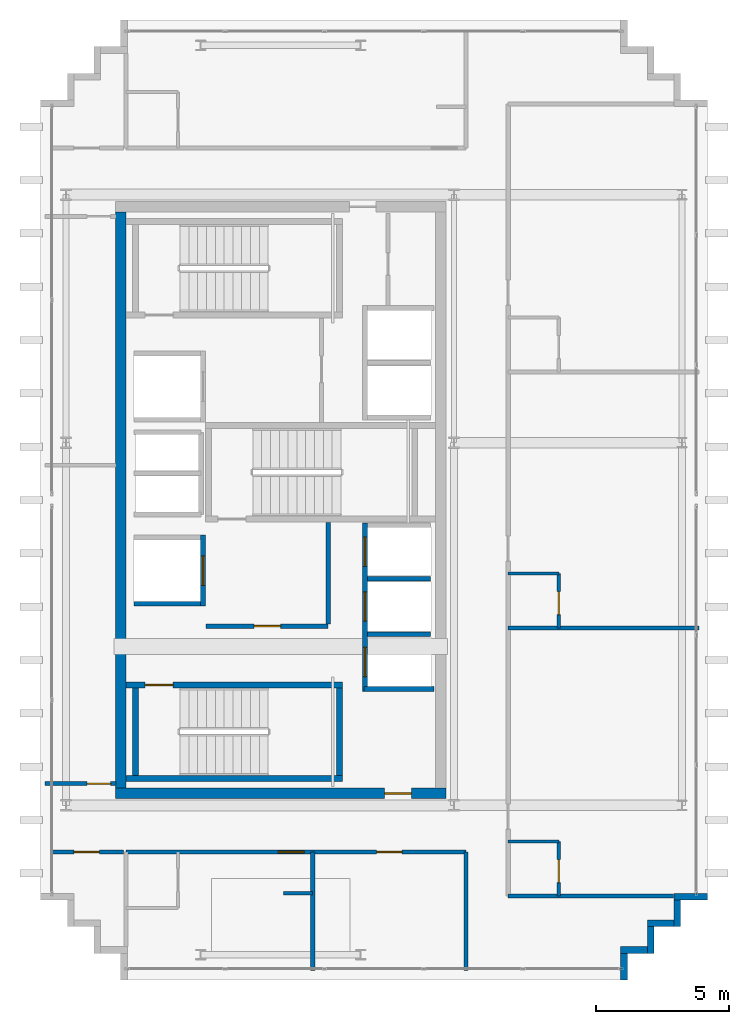
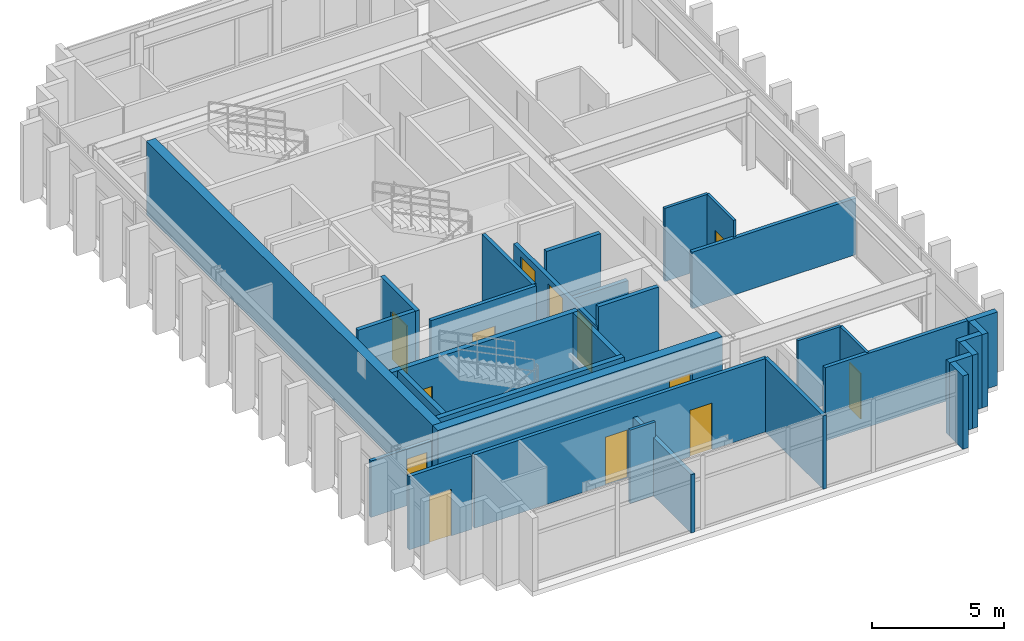
# One storey, part 12 of 15: 32 walls, 13 doors, 13 openings.
"""IFC4 building model written with IfcOpenShell, lengths in metres."""

from ifc_helpers import new_model, si_unit, direction, frame, frame_2d, origin, place, context, subcontext, project, spatial, rectangle, extrude, source, transform, mapped, material, layer, layer_set, type_object, element, fill, save


model = new_model("IFC4")

# Units and contexts
model_context = context("Model", 3, precision=1e-05, world=origin(), true_north=direction((0.0, 1.0)))
body_context = subcontext(model_context, "Body", "Model", "MODEL_VIEW")
ifc_project = project(units=[si_unit("LENGTHUNIT", "METRE"), si_unit("AREAUNIT", "SQUARE_METRE"), si_unit("VOLUMEUNIT", "CUBIC_METRE"), si_unit("PLANEANGLEUNIT", "RADIAN"), si_unit("MASSUNIT", "GRAM", prefix="KILO")], contexts=[model_context])

# Site, building, storey
site_placement = place(None, origin())
site = spatial("IfcSite", under=ifc_project, at=site_placement, CompositionType="ELEMENT")
building_placement = place(site_placement, origin())
building = spatial("IfcBuilding", under=site, at=building_placement, Name="Ocotamira Hotel", CompositionType="ELEMENT")
storey_placement = place(building_placement, frame((0.0, 0.0, 279.60009765625)))
storey = spatial("IfcBuildingStorey", under=building, at=storey_placement, Name="L71", CompositionType="ELEMENT", Elevation=279.60009765625)

# Wall, opening, door
ifc_material_1 = material(Name="Concrete C50/60", Category="concrete")
ifc_layer_1 = layer(ifc_material_1, 0.39990234375)
ifc_layer_set_1 = layer_set([ifc_layer_1], Name="Concrete C50/60")
wall_type_1 = type_object("IfcWallType", Name="WL-CORE-400", PredefinedType="SHEAR", material=ifc_layer_set_1)
wall_1_placement = place(storey_placement, frame((10.800048828125, 15.0, 0.0), z_axis=(0.0, 0.0, 1.0), x_axis=(1.0, 0.0, 0.0)))
wall_1 = element("IfcWall", 1, at=wall_1_placement, inside=storey, type_object=wall_type_1, Name="L71 Shear Core Wall WCORE-S", PredefinedType="SHEAR", context=body_context, shape_type="SweptSolid", body=[
    extrude(rectangle(XDim=12.39990234375, YDim=0.39990234375, at=frame_2d((6.199951171875, 0.0))), origin(), (0.0, 0.0, 1.0), 3.3798828125),
])
opening_1_placement = place(wall_1_placement, frame((10.10009765625, 0.0, 0.0)))
opening_1 = element("IfcOpeningElement", 2, at=opening_1_placement, cuts=wall_1, Name="Opening D-FR2", PredefinedType="OPENING", context=body_context, shape_type="SweptSolid", body=[
    extrude(rectangle(XDim=1.0, YDim=2.14990234375, at=frame_2d((0.5, 1.074951171875))), frame((0.0, 0.2099609375, 0.0), z_axis=(0.0, -1.0, 0.0), x_axis=(1.0, 0.0, 0.0)), (0.0, 0.0, 1.0), 0.419921875),
])
ifc_material_2 = material(Name="Fire-rated acoustic timber-veneer door", Category="wood")
door_type_1 = type_object("IfcDoorType", Name="DR-FIRE-1000", OperationType="NOTDEFINED", PredefinedType="DOOR", material=ifc_material_2)
shared_shape_1 = source(origin(), body_context, "Body", "SweptSolid", [
    extrude(rectangle(XDim=1.0, YDim=2.14990234375, at=frame_2d((0.5, 1.074951171875))), frame((0.0, 0.02490234375, 0.0), z_axis=(0.0, -1.0, 0.0), x_axis=(1.0, 0.0, 0.0)), (0.0, 0.0, 1.0), 0.050048828125),
])
door_1_placement = place(opening_1_placement, origin())
door_1 = element("IfcDoor", 3, at=door_1_placement, inside=storey, type_object=door_type_1, Name="L71 Door ID-L71-WLOB-S-D [ID-L71-WLOB-S-D]", OperationType="SINGLE_SWING_LEFT", OverallHeight=2.14990234375, OverallWidth=1.0, PredefinedType="DOOR", context=body_context, shape_type="MappedRepresentation", body=[
    mapped(shared_shape_1, transform((0.0, 0.0, 0.0), scale=1.0)),
])
fill(opening_1, door_1)

# Walls
wall_2_placement = place(storey_placement, frame((11.0, 15.199951171875, 0.0), z_axis=(0.0, 0.0, 1.0), x_axis=(0.0, 1.0, 0.0)))
element("IfcWall", 4, at=wall_2_placement, inside=storey, type_object=wall_type_1, Name="L71 Shear Core Wall WCORE-W", PredefinedType="SHEAR", context=body_context, shape_type="SweptSolid", body=[
    extrude(rectangle(XDim=21.60009765625, YDim=0.39990234375, at=frame_2d((10.800048828125, 0.0))), origin(), (0.0, 0.0, 1.0), 3.3798828125),
])
ifc_material_3 = material(Name="Precast concrete C45/55", Category="concrete")
ifc_layer_2 = layer(ifc_material_3, 0.25)
ifc_layer_set_2 = layer_set([ifc_layer_2], Name="Precast concrete C45/55")
wall_type_2 = type_object("IfcWallType", Name="WL-EXT-SER-250", PredefinedType="SOLIDWALL", material=ifc_layer_set_2)
for number, where, z_axis, x_axis, name in (
    (5, (29.875, 8.0, 0.0), (0.0, 0.0, 1.0), (0.0, 1.0, 0.0), "L71 Serrated Corner Wall 01"),
    (6, (29.75, 9.125, 0.0), (0.0, 0.0, 1.0), (1.0, 0.0, 0.0), "L71 Serrated Corner Wall 02"),
    (7, (30.875, 9.0, 0.0), (0.0, 0.0, 1.0), (0.0, 1.0, 0.0), "L71 Serrated Corner Wall 03"),
    (8, (30.75, 10.125, 0.0), (0.0, 0.0, 1.0), (1.0, 0.0, 0.0), "L71 Serrated Corner Wall 04"),
    (9, (31.875, 10.0, 0.0), (0.0, 0.0, 1.0), (0.0, 1.0, 0.0), "L71 Serrated Corner Wall 05"),
):
    element("IfcWall", number, at=place(storey_placement, frame(where, z_axis=z_axis, x_axis=x_axis)), inside=storey, type_object=wall_type_2, Name=name, PredefinedType="SOLIDWALL", context=body_context, shape_type="SweptSolid", body=[
        extrude(rectangle(XDim=1.0, YDim=0.25, at=frame_2d((0.5, 0.0))), origin(), (0.0, 0.0, 1.0), 3.3798828125),
    ])
wall_3_placement = place(storey_placement, frame((31.75, 11.125, 0.0), z_axis=(0.0, 0.0, 1.0), x_axis=(1.0, 0.0, 0.0)))
element("IfcWall", 10, at=wall_3_placement, inside=storey, type_object=wall_type_2, Name="L71 Serrated Corner Wall 06", PredefinedType="SOLIDWALL", context=body_context, shape_type="SweptSolid", body=[
    extrude(rectangle(XDim=1.25, YDim=0.25, at=frame_2d((0.625, 0.0))), origin(), (0.0, 0.0, 1.0), 3.3798828125),
])

# Wall, opening, door
ifc_material_4 = material(Name="Acoustic double-layer fire gypsum board partition", Category="gypsum")
ifc_layer_3 = layer(ifc_material_4, 0.159912109375)
ifc_layer_set_3 = layer_set([ifc_layer_3], Name="Acoustic double-layer fire gypsum board partition")
wall_type_3 = type_object("IfcWallType", Name="WL-FIRE-160", PredefinedType="PARTITIONING", material=ifc_layer_set_3)
wall_4_placement = place(storey_placement, frame((14.199951171875, 21.27001953125, 0.0), z_axis=(0.0, 0.0, 1.0), x_axis=(1.0, 0.0, 0.0)))
wall_4 = element("IfcWall", 11, at=wall_4_placement, inside=storey, type_object=wall_type_3, Name="L71 Interior Wall PW-L71-FSAE1-S", PredefinedType="PARTITIONING", context=body_context, shape_type="SweptSolid", body=[
    extrude(rectangle(XDim=4.580078125, YDim=0.159912109375, at=frame_2d((2.2900390625, 0.0))), origin(), (0.0, 0.0, 1.0), 3.3798828125),
])
opening_2_placement = place(wall_4_placement, frame((1.800048828125, 0.0, 0.0)))
opening_2 = element("IfcOpeningElement", 12, at=opening_2_placement, cuts=wall_4, Name="Opening D-FR2", PredefinedType="OPENING", context=body_context, shape_type="SweptSolid", body=[
    extrude(rectangle(XDim=1.0, YDim=2.14990234375, at=frame_2d((0.5, 1.074951171875))), frame((0.0, 0.08984375, 0.0), z_axis=(0.0, -1.0, 0.0), x_axis=(1.0, 0.0, 0.0)), (0.0, 0.0, 1.0), 0.179931640625),
])
door_2_placement = place(opening_2_placement, origin())
door_2 = element("IfcDoor", 13, at=door_2_placement, inside=storey, type_object=door_type_1, Name="L71 Door ID-L71-FSAE1-D [ID-L71-FSAE1-D]", OperationType="SINGLE_SWING_LEFT", OverallHeight=2.14990234375, OverallWidth=1.0, PredefinedType="DOOR", context=body_context, shape_type="MappedRepresentation", body=[
    mapped(shared_shape_1, transform((0.0, 0.0, 0.0), scale=1.0)),
])
fill(opening_2, door_2)

# Wall
wall_5_placement = place(storey_placement, frame((18.780029296875, 21.35009765625, 0.0), z_axis=(0.0, 0.0, 1.0), x_axis=(0.0, 1.0, 0.0)))
element("IfcWall", 14, at=wall_5_placement, inside=storey, type_object=wall_type_3, Name="L71 Interior Wall PW-L71-FSAE1-E", PredefinedType="PARTITIONING", context=body_context, shape_type="SweptSolid", body=[
    extrude(rectangle(XDim=3.809814453125, YDim=0.159912109375, at=frame_2d((1.90478515625, 0.0))), origin(), (0.0, 0.0, 1.0), 3.3798828125),
])

# Wall, openings, doors
wall_6_placement = place(storey_placement, frame((11.199951171875, 12.800048828125, 0.0), z_axis=(0.0, 0.0, 1.0), x_axis=(1.0, 0.0, 0.0)))
wall_6 = element("IfcWall", 15, at=wall_6_placement, inside=storey, type_object=wall_type_3, Name="L71 Interior Wall PW-L71-WP0S-CORRW", PredefinedType="PARTITIONING", context=body_context, shape_type="SweptSolid", body=[
    extrude(rectangle(XDim=12.75, YDim=0.159912109375, at=frame_2d((6.375, 0.0))), origin(), (0.0, 0.0, 1.0), 3.3798828125),
])
opening_3_placement = place(wall_6_placement, frame((5.699951171875, 0.0, 0.0)))
opening_3 = element("IfcOpeningElement", 16, at=opening_3_placement, cuts=wall_6, Name="Opening D-GR2", PredefinedType="OPENING", context=body_context, shape_type="SweptSolid", body=[
    extrude(rectangle(XDim=0.97998046875, YDim=2.199951171875, at=frame_2d((0.489990234375, 1.10009765625))), frame((0.0, 0.08984375, 0.0), z_axis=(0.0, -1.0, 0.0), x_axis=(1.0, 0.0, 0.0)), (0.0, 0.0, 1.0), 0.179931640625),
])
opening_4_placement = place(wall_6_placement, frame((9.39501953125, 0.0, 0.0)))
opening_4 = element("IfcOpeningElement", 17, at=opening_4_placement, cuts=wall_6, Name="Opening D-SV4", PredefinedType="OPENING", context=body_context, shape_type="SweptSolid", body=[
    extrude(rectangle(XDim=0.9599609375, YDim=2.14990234375, at=frame_2d((0.47998046875, 1.074951171875))), frame((0.0, 0.08984375, 0.0), z_axis=(0.0, -1.0, 0.0), x_axis=(1.0, 0.0, 0.0)), (0.0, 0.0, 1.0), 0.179931640625),
])
ifc_material_5 = material(Name="Fire-rated accessible walnut salon door", Category="wood")
door_type_2 = type_object("IfcDoorType", Name="DR-SERV-960", OperationType="NOTDEFINED", PredefinedType="DOOR", material=ifc_material_5)
shared_shape_2 = source(origin(), body_context, "Body", "SweptSolid", [
    extrude(rectangle(XDim=0.9599609375, YDim=2.14990234375, at=frame_2d((0.47998046875, 1.074951171875))), frame((0.0, 0.02490234375, 0.0), z_axis=(0.0, -1.0, 0.0), x_axis=(1.0, 0.0, 0.0)), (0.0, 0.0, 1.0), 0.050048828125),
])
door_3_placement = place(opening_4_placement, origin())
door_3 = element("IfcDoor", 18, at=door_3_placement, inside=storey, type_object=door_type_2, Name="L71 Door ID-L71-WP0S-AMD2 [ID-L71-WP0S-AMD2]", OperationType="SINGLE_SWING_RIGHT", OverallHeight=2.14990234375, OverallWidth=0.9599609375, PredefinedType="DOOR", context=body_context, shape_type="MappedRepresentation", body=[
    mapped(shared_shape_2, transform((0.0, 0.0, 0.0), scale=1.0)),
])
fill(opening_4, door_3)
ifc_material_6 = material(Name="Solid-core walnut grand-suite entrance fire door", Category="wood")
door_type_3 = type_object("IfcDoorType", Name="DR-GUEST-980", OperationType="NOTDEFINED", PredefinedType="DOOR", material=ifc_material_6)
shared_shape_3 = source(origin(), body_context, "Body", "SweptSolid", [
    extrude(rectangle(XDim=0.97998046875, YDim=2.199951171875, at=frame_2d((0.489990234375, 1.10009765625))), frame((0.0, 0.02490234375, 0.0), z_axis=(0.0, -1.0, 0.0), x_axis=(1.0, 0.0, 0.0)), (0.0, 0.0, 1.0), 0.050048828125),
])
door_4_placement = place(opening_3_placement, origin())
door_4 = element("IfcDoor", 19, at=door_4_placement, inside=storey, type_object=door_type_3, Name="L71 Door ID-L71-WP0S-RMD1 [ID-L71-WP0S-RMD1]", OperationType="SINGLE_SWING_LEFT", OverallHeight=2.199951171875, OverallWidth=0.97998046875, PredefinedType="DOOR", context=body_context, shape_type="MappedRepresentation", body=[
    mapped(shared_shape_3, transform((0.0, 0.0, 0.0), scale=1.0)),
])
fill(opening_3, door_4)

# Wall, opening, door
wall_7_placement = place(storey_placement, frame((8.35009765625, 12.800048828125, 0.0), z_axis=(0.0, 0.0, 1.0), x_axis=(1.0, 0.0, 0.0)))
wall_7 = element("IfcWall", 20, at=wall_7_placement, inside=storey, type_object=wall_type_3, Name="L71 Interior Wall PW-L71-WPCSW0-CW", PredefinedType="PARTITIONING", context=body_context, shape_type="SweptSolid", body=[
    extrude(rectangle(XDim=2.75, YDim=0.159912109375, at=frame_2d((1.375, 0.0))), origin(), (0.0, 0.0, 1.0), 3.3798828125),
])
opening_5_placement = place(wall_7_placement, frame((0.89501953125, 0.0, 0.0)))
opening_5 = element("IfcOpeningElement", 21, at=opening_5_placement, cuts=wall_7, Name="Opening D-SV4", PredefinedType="OPENING", context=body_context, shape_type="SweptSolid", body=[
    extrude(rectangle(XDim=0.9599609375, YDim=2.14990234375, at=frame_2d((0.47998046875, 1.074951171875))), frame((0.0, 0.08984375, 0.0), z_axis=(0.0, -1.0, 0.0), x_axis=(1.0, 0.0, 0.0)), (0.0, 0.0, 1.0), 0.179931640625),
])
door_5_placement = place(opening_5_placement, origin())
door_5 = element("IfcDoor", 22, at=door_5_placement, inside=storey, type_object=door_type_2, Name="L71 Door ID-L71-WPCSW0-CD [ID-L71-WPCSW0-CD]", OperationType="SINGLE_SWING_LEFT", OverallHeight=2.14990234375, OverallWidth=0.9599609375, PredefinedType="DOOR", context=body_context, shape_type="MappedRepresentation", body=[
    mapped(shared_shape_2, transform((0.0, 0.0, 0.0), scale=1.0)),
])
fill(opening_5, door_5)

# Wall
ifc_material_7 = material(Name="Moisture-resistant en-suite tile and gypsum partition", Category="gypsum")
ifc_layer_4 = layer(ifc_material_7, 0.1201171875)
ifc_layer_set_4 = layer_set([ifc_layer_4], Name="Moisture-resistant en-suite tile and gypsum partition")
wall_type_4 = type_object("IfcWallType", Name="WL-PART-120", PredefinedType="PARTITIONING", material=ifc_layer_set_4)
wall_8_placement = place(storey_placement, frame((17.10009765625, 11.25, 0.0), z_axis=(0.0, 0.0, 1.0), x_axis=(1.0, 0.0, 0.0)))
element("IfcWall", 23, at=wall_8_placement, inside=storey, type_object=wall_type_4, Name="L71 Interior Wall PW-L71-WP0S-DRN1", PredefinedType="PARTITIONING", context=body_context, shape_type="SweptSolid", body=[
    extrude(rectangle(XDim=1.099853515625, YDim=0.1201171875, at=frame_2d((0.5498046875, 0.0))), origin(), (0.0, 0.0, 1.0), 3.3798828125),
])

# Wall, opening, door
wall_9_placement = place(storey_placement, frame((27.429931640625, 11.14990234375, 0.0), z_axis=(0.0, 0.0, 1.0), x_axis=(0.0, 1.0, 0.0)))
wall_9 = element("IfcWall", 24, at=wall_9_placement, inside=storey, type_object=wall_type_4, Name="L71 Interior Wall PW-L71-WP-EBE1", PredefinedType="PARTITIONING", context=body_context, shape_type="SweptSolid", body=[
    extrude(rectangle(XDim=2.0400390625, YDim=0.1201171875, at=frame_2d((1.02001953125, 0.0))), origin(), (0.0, 0.0, 1.0), 3.3798828125),
])
opening_6_placement = place(wall_9_placement, frame((0.5, 0.0, 0.0)))
opening_6 = element("IfcOpeningElement", 25, at=opening_6_placement, cuts=wall_9, Name="Opening D-BA1", PredefinedType="OPENING", context=body_context, shape_type="SweptSolid", body=[
    extrude(rectangle(XDim=0.860107421875, YDim=2.10009765625, at=frame_2d((0.43017578125, 1.050048828125))), frame((0.0, 0.070068359375, 0.0), z_axis=(0.0, -1.0, 0.0), x_axis=(1.0, 0.0, 0.0)), (0.0, 0.0, 1.0), 0.14013671875),
])
ifc_material_8 = material(Name="Moisture-sealed en-suite timber door", Category="wood")
door_type_4 = type_object("IfcDoorType", Name="DR-BATH-860", OperationType="NOTDEFINED", PredefinedType="DOOR", material=ifc_material_8)
shared_shape_4 = source(origin(), body_context, "Body", "SweptSolid", [
    extrude(rectangle(XDim=0.860107421875, YDim=2.10009765625, at=frame_2d((0.43017578125, 1.050048828125))), frame((0.0, 0.02490234375, 0.0), z_axis=(0.0, -1.0, 0.0), x_axis=(1.0, 0.0, 0.0)), (0.0, 0.0, 1.0), 0.050048828125),
])
door_6_placement = place(opening_6_placement, origin())
door_6 = element("IfcDoor", 26, at=door_6_placement, inside=storey, type_object=door_type_4, Name="L71 Door ID-L71-WP-EBD1 [ID-L71-WP-EBD1]", OperationType="SINGLE_SWING_LEFT", OverallHeight=2.10009765625, OverallWidth=0.860107421875, PredefinedType="DOOR", context=body_context, shape_type="MappedRepresentation", body=[
    mapped(shared_shape_4, transform((0.0, 0.0, 0.0), scale=1.0)),
])
fill(opening_6, door_6)

# Wall
wall_10_placement = place(storey_placement, frame((25.530029296875, 13.18994140625, 0.0), z_axis=(0.0, 0.0, 1.0), x_axis=(1.0, 0.0, 0.0)))
element("IfcWall", 27, at=wall_10_placement, inside=storey, type_object=wall_type_4, Name="L71 Interior Wall PW-L71-WP-EBN1", PredefinedType="PARTITIONING", context=body_context, shape_type="SweptSolid", body=[
    extrude(rectangle(XDim=1.89990234375, YDim=0.1201171875, at=frame_2d((0.949951171875, 0.0))), origin(), (0.0, 0.0, 1.0), 3.3798828125),
])

# Wall, opening, door
wall_11_placement = place(storey_placement, frame((27.429931640625, 21.199951171875, 0.0), z_axis=(0.0, 0.0, 1.0), x_axis=(0.0, 1.0, 0.0)))
wall_11 = element("IfcWall", 28, at=wall_11_placement, inside=storey, type_object=wall_type_4, Name="L71 Interior Wall PW-L71-WP-EBE2", PredefinedType="PARTITIONING", context=body_context, shape_type="SweptSolid", body=[
    extrude(rectangle(XDim=2.0400390625, YDim=0.1201171875, at=frame_2d((1.02001953125, 0.0))), origin(), (0.0, 0.0, 1.0), 3.3798828125),
])
opening_7_placement = place(wall_11_placement, frame((0.5, 0.0, 0.0)))
opening_7 = element("IfcOpeningElement", 29, at=opening_7_placement, cuts=wall_11, Name="Opening D-BA1", PredefinedType="OPENING", context=body_context, shape_type="SweptSolid", body=[
    extrude(rectangle(XDim=0.860107421875, YDim=2.10009765625, at=frame_2d((0.43017578125, 1.050048828125))), frame((0.0, 0.070068359375, 0.0), z_axis=(0.0, -1.0, 0.0), x_axis=(1.0, 0.0, 0.0)), (0.0, 0.0, 1.0), 0.14013671875),
])
door_7_placement = place(opening_7_placement, origin())
door_7 = element("IfcDoor", 30, at=door_7_placement, inside=storey, type_object=door_type_4, Name="L71 Door ID-L71-WP-EBD2 [ID-L71-WP-EBD2]", OperationType="SINGLE_SWING_LEFT", OverallHeight=2.10009765625, OverallWidth=0.860107421875, PredefinedType="DOOR", context=body_context, shape_type="MappedRepresentation", body=[
    mapped(shared_shape_4, transform((0.0, 0.0, 0.0), scale=1.0)),
])
fill(opening_7, door_7)

# Wall
wall_12_placement = place(storey_placement, frame((25.530029296875, 23.239990234375, 0.0), z_axis=(0.0, 0.0, 1.0), x_axis=(1.0, 0.0, 0.0)))
element("IfcWall", 31, at=wall_12_placement, inside=storey, type_object=wall_type_4, Name="L71 Interior Wall PW-L71-WP-EBN2", PredefinedType="PARTITIONING", context=body_context, shape_type="SweptSolid", body=[
    extrude(rectangle(XDim=1.89990234375, YDim=0.1201171875, at=frame_2d((0.949951171875, 0.0))), origin(), (0.0, 0.0, 1.0), 3.3798828125),
])

# Wall, opening, door
ifc_material_9 = material(Name="Acoustic hospitality gypsum board partition", Category="gypsum")
ifc_layer_5 = layer(ifc_material_9, 0.14990234375)
ifc_layer_set_5 = layer_set([ifc_layer_5], Name="Acoustic hospitality gypsum board partition")
wall_type_5 = type_object("IfcWallType", Name="WL-PART-150", PredefinedType="PARTITIONING", material=ifc_layer_set_5)
wall_13_placement = place(storey_placement, frame((8.159912109375, 15.360107421875, 0.0), z_axis=(0.0, 0.0, 1.0), x_axis=(1.0, 0.0, 0.0)))
wall_13 = element("IfcWall", 32, at=wall_13_placement, inside=storey, type_object=wall_type_5, Name="L71 Interior Wall PW-L71-WP0W-WS", PredefinedType="PARTITIONING", context=body_context, shape_type="SweptSolid", body=[
    extrude(rectangle(XDim=2.66015625, YDim=0.14990234375, at=frame_2d((1.330078125, 0.0))), origin(), (0.0, 0.0, 1.0), 2.600830078125),
])
opening_8_placement = place(wall_13_placement, frame((1.580078125, 0.0, 0.0)))
opening_8 = element("IfcOpeningElement", 33, at=opening_8_placement, cuts=wall_13, Name="Opening D-SV2", PredefinedType="OPENING", context=body_context, shape_type="SweptSolid", body=[
    extrude(rectangle(XDim=0.8798828125, YDim=2.14990234375, at=frame_2d((0.43994140625, 1.074951171875))), frame((0.0, 0.0849609375, 0.0), z_axis=(0.0, -1.0, 0.0), x_axis=(1.0, 0.0, 0.0)), (0.0, 0.0, 1.0), 0.169921875),
])
ifc_material_10 = material(Name="Fire-rated painted steel service door", Category="steel")
door_type_5 = type_object("IfcDoorType", Name="DR-SERV-880", OperationType="NOTDEFINED", PredefinedType="DOOR", material=ifc_material_10)
shared_shape_5 = source(origin(), body_context, "Body", "SweptSolid", [
    extrude(rectangle(XDim=0.8798828125, YDim=2.14990234375, at=frame_2d((0.43994140625, 1.074951171875))), frame((0.0, 0.02490234375, 0.0), z_axis=(0.0, -1.0, 0.0), x_axis=(1.0, 0.0, 0.0)), (0.0, 0.0, 1.0), 0.050048828125),
])
door_8_placement = place(opening_8_placement, origin())
door_8 = element("IfcDoor", 34, at=door_8_placement, inside=storey, type_object=door_type_5, Name="L71 Door ID-L71-WP0W-DS [ID-L71-WP0W-DS]", OperationType="SINGLE_SWING_LEFT", OverallHeight=2.14990234375, OverallWidth=0.8798828125, PredefinedType="DOOR", context=body_context, shape_type="MappedRepresentation", body=[
    mapped(shared_shape_5, transform((0.0, 0.0, 0.0), scale=1.0)),
])
fill(opening_8, door_8)

# Walls
ifc_material_11 = material(Name="Acoustic double-stud hospitality gypsum partition", Category="gypsum")
ifc_layer_6 = layer(ifc_material_11, 0.159912109375)
ifc_layer_set_6 = layer_set([ifc_layer_6], Name="Acoustic double-stud hospitality gypsum partition")
wall_type_6 = type_object("IfcWallType", Name="WL-PART-160", PredefinedType="PARTITIONING", material=ifc_layer_set_6)
wall_14_placement = place(storey_placement, frame((23.949951171875, 8.360107421875, 0.0), z_axis=(0.0, 0.0, 1.0), x_axis=(0.0, 1.0, 0.0)))
element("IfcWall", 35, at=wall_14_placement, inside=storey, type_object=wall_type_6, Name="L71 Interior Wall PW-L71-WP0S-PWEND", PredefinedType="PARTITIONING", context=body_context, shape_type="SweptSolid", body=[
    extrude(rectangle(XDim=4.43994140625, YDim=0.159912109375, at=frame_2d((2.219970703125, 0.0))), origin(), (0.0, 0.0, 1.0), 3.3798828125),
])
wall_15_placement = place(storey_placement, frame((25.530029296875, 11.14990234375, 0.0), z_axis=(0.0, 0.0, 1.0), x_axis=(1.0, 0.0, 0.0)))
element("IfcWall", 36, at=wall_15_placement, inside=storey, type_object=wall_type_6, Name="L71 Interior Wall PW-L71-WP-EDIV0", PredefinedType="PARTITIONING", context=body_context, shape_type="SweptSolid", body=[
    extrude(rectangle(XDim=6.2099609375, YDim=0.159912109375, at=frame_2d((3.10498046875, 0.0))), origin(), (0.0, 0.0, 1.0), 3.3798828125),
])
wall_16_placement = place(storey_placement, frame((25.530029296875, 21.199951171875, 0.0), z_axis=(0.0, 0.0, 1.0), x_axis=(1.0, 0.0, 0.0)))
element("IfcWall", 37, at=wall_16_placement, inside=storey, type_object=wall_type_6, Name="L71 Interior Wall PW-L71-WP-EDIV1", PredefinedType="PARTITIONING", context=body_context, shape_type="SweptSolid", body=[
    extrude(rectangle(XDim=7.14990234375, YDim=0.159912109375, at=frame_2d((3.574951171875, 0.0))), origin(), (0.0, 0.0, 1.0), 2.600830078125),
])
ifc_material_12 = material(Name="Double-stud suite party gypsum partition", Category="gypsum")
ifc_layer_7 = layer(ifc_material_12, 0.175048828125)
ifc_layer_set_7 = layer_set([ifc_layer_7], Name="Double-stud suite party gypsum partition")
wall_type_7 = type_object("IfcWallType", Name="WL-PART-175", PredefinedType="PARTITIONING", material=ifc_layer_set_7)
wall_17_placement = place(storey_placement, frame((18.199951171875, 8.360107421875, 0.0), z_axis=(0.0, 0.0, 1.0), x_axis=(0.0, 1.0, 0.0)))
element("IfcWall", 38, at=wall_17_placement, inside=storey, type_object=wall_type_7, Name="L71 Interior Wall PW-L71-WP0S-PW1", PredefinedType="PARTITIONING", context=body_context, shape_type="SweptSolid", body=[
    extrude(rectangle(XDim=4.43994140625, YDim=0.175048828125, at=frame_2d((2.219970703125, 0.0))), origin(), (0.0, 0.0, 1.0), 2.68701171875),
])

# Wall, openings, doors
ifc_material_13 = material(Name="Fire-rated gypsum shaftliner board assembly", Category="gypsum")
ifc_layer_8 = layer(ifc_material_13, 0.179931640625)
ifc_layer_set_8 = layer_set([ifc_layer_8], Name="Fire-rated gypsum shaftliner board assembly")
wall_type_8 = type_object("IfcWallType", Name="WL-SHAFT-180", PredefinedType="SOLIDWALL", material=ifc_layer_set_8)
wall_18_placement = place(storey_placement, frame((20.159912109375, 18.820068359375, 0.0), z_axis=(0.0, 0.0, 1.0), x_axis=(0.0, 1.0, 0.0)))
wall_18 = element("IfcWall", 39, at=wall_18_placement, inside=storey, type_object=wall_type_8, Name="L71 Interior Wall PW-L71-LFW-BANK-high-F", PredefinedType="SOLIDWALL", context=body_context, shape_type="SweptSolid", body=[
    extrude(rectangle(XDim=6.31982421875, YDim=0.179931640625, at=frame_2d((3.159912109375, 0.0))), origin(), (0.0, 0.0, 1.0), 2.47998046875),
])
opening_9_placement = place(wall_18_placement, frame((0.554931640625, 0.0, 0.0)))
opening_9 = element("IfcOpeningElement", 40, at=opening_9_placement, cuts=wall_18, Name="Opening LD-LF-P7", PredefinedType="OPENING", context=body_context, shape_type="SweptSolid", body=[
    extrude(rectangle(XDim=1.10009765625, YDim=2.199951171875, at=frame_2d((0.550048828125, 1.10009765625))), frame((0.0, 0.10009765625, 0.0), z_axis=(0.0, -1.0, 0.0), x_axis=(1.0, 0.0, 0.0)), (0.0, 0.0, 1.0), 0.199951171875),
])
opening_10_placement = place(wall_18_placement, frame((2.635009765625, 0.0, 0.0)))
opening_10 = element("IfcOpeningElement", 41, at=opening_10_placement, cuts=wall_18, Name="Opening LD-LF-P8", PredefinedType="OPENING", context=body_context, shape_type="SweptSolid", body=[
    extrude(rectangle(XDim=1.10009765625, YDim=2.199951171875, at=frame_2d((0.550048828125, 1.10009765625))), frame((0.0, 0.10009765625, 0.0), z_axis=(0.0, -1.0, 0.0), x_axis=(1.0, 0.0, 0.0)), (0.0, 0.0, 1.0), 0.199951171875),
])
opening_11_placement = place(wall_18_placement, frame((4.68994140625, 0.0, 0.0)))
opening_11 = element("IfcOpeningElement", 42, at=opening_11_placement, cuts=wall_18, Name="Opening LD-LF-P9", PredefinedType="OPENING", context=body_context, shape_type="SweptSolid", body=[
    extrude(rectangle(XDim=1.10009765625, YDim=2.199951171875, at=frame_2d((0.550048828125, 1.10009765625))), frame((0.0, 0.10009765625, 0.0), z_axis=(0.0, -1.0, 0.0), x_axis=(1.0, 0.0, 0.0)), (0.0, 0.0, 1.0), 0.199951171875),
])
ifc_material_14 = material(Name="Brushed pale-metal stainless elevator landing door", Category="steel")
door_type_6 = type_object("IfcDoorType", Name="DR-LIFT-1100", OperationType="NOTDEFINED", PredefinedType="DOOR", material=ifc_material_14)
shared_shape_6 = source(origin(), body_context, "Body", "SweptSolid", [
    extrude(rectangle(XDim=1.10009765625, YDim=2.199951171875, at=frame_2d((0.550048828125, 1.10009765625))), frame((0.0, 0.02490234375, 0.0), z_axis=(0.0, -1.0, 0.0), x_axis=(1.0, 0.0, 0.0)), (0.0, 0.0, 1.0), 0.050048828125),
])
door_9_placement = place(opening_9_placement, origin())
door_9 = element("IfcDoor", 43, at=door_9_placement, inside=storey, type_object=door_type_6, Name="L71 Landing Door LD-LF-P7 [ID-L71-LD-LF-P7]", OperationType="DOUBLE_DOOR_SLIDING", OverallHeight=2.199951171875, OverallWidth=1.10009765625, PredefinedType="DOOR", context=body_context, shape_type="MappedRepresentation", body=[
    mapped(shared_shape_6, transform((0.0, 0.0, 0.0), scale=1.0)),
])
fill(opening_9, door_9)
door_10_placement = place(opening_10_placement, origin())
door_10 = element("IfcDoor", 44, at=door_10_placement, inside=storey, type_object=door_type_6, Name="L71 Landing Door LD-LF-P8 [ID-L71-LD-LF-P8]", OperationType="DOUBLE_DOOR_SLIDING", OverallHeight=2.199951171875, OverallWidth=1.10009765625, PredefinedType="DOOR", context=body_context, shape_type="MappedRepresentation", body=[
    mapped(shared_shape_6, transform((0.0, 0.0, 0.0), scale=1.0)),
])
fill(opening_10, door_10)
door_11_placement = place(opening_11_placement, origin())
door_11 = element("IfcDoor", 45, at=door_11_placement, inside=storey, type_object=door_type_6, Name="L71 Landing Door LD-LF-P9 [ID-L71-LD-LF-P9]", OperationType="DOUBLE_DOOR_SLIDING", OverallHeight=2.199951171875, OverallWidth=1.10009765625, PredefinedType="DOOR", context=body_context, shape_type="MappedRepresentation", body=[
    mapped(shared_shape_6, transform((0.0, 0.0, 0.0), scale=1.0)),
])
fill(opening_11, door_11)

# Walls
wall_19_placement = place(storey_placement, frame((20.1201171875, 18.909912109375, 0.0), z_axis=(0.0, 0.0, 1.0), x_axis=(1.0, 0.0, 0.0)))
element("IfcWall", 46, at=wall_19_placement, inside=storey, type_object=wall_type_8, Name="L71 Interior Wall PW-L71-LFW-BANK-high-S", PredefinedType="SOLIDWALL", context=body_context, shape_type="SweptSolid", body=[
    extrude(rectangle(XDim=2.6298828125, YDim=0.179931640625, at=frame_2d((1.31494140625, 0.0))), origin(), (0.0, 0.0, 1.0), 3.3798828125),
])
wall_20_placement = place(storey_placement, frame((20.25, 20.965087890625, 0.0), z_axis=(0.0, 0.0, 1.0), x_axis=(1.0, 0.0, 0.0)))
element("IfcWall", 47, at=wall_20_placement, inside=storey, type_object=wall_type_8, Name="L71 Interior Wall PW-L71-LFW-DIV-LF-P7", PredefinedType="SOLIDWALL", context=body_context, shape_type="SweptSolid", body=[
    extrude(rectangle(XDim=2.360107421875, YDim=0.179931640625, at=frame_2d((1.18017578125, 0.0))), origin(), (0.0, 0.0, 1.0), 2.47998046875),
])
wall_21_placement = place(storey_placement, frame((20.25, 23.044921875, 0.0), z_axis=(0.0, 0.0, 1.0), x_axis=(1.0, 0.0, 0.0)))
element("IfcWall", 48, at=wall_21_placement, inside=storey, type_object=wall_type_8, Name="L71 Interior Wall PW-L71-LFW-DIV-LF-P8", PredefinedType="SOLIDWALL", context=body_context, shape_type="SweptSolid", body=[
    extrude(rectangle(XDim=2.360107421875, YDim=0.179931640625, at=frame_2d((1.18017578125, 0.0))), origin(), (0.0, 0.0, 1.0), 3.3798828125),
])
wall_22_placement = place(storey_placement, frame((11.5, 22.110107421875, 0.0), z_axis=(0.0, 0.0, 1.0), x_axis=(1.0, 0.0, 0.0)))
element("IfcWall", 49, at=wall_22_placement, inside=storey, type_object=wall_type_8, Name="L71 Interior Wall PW-L71-LFW-LF-FSAE1-S", PredefinedType="SOLIDWALL", context=body_context, shape_type="SweptSolid", body=[
    extrude(rectangle(XDim=2.5, YDim=0.179931640625, at=frame_2d((1.25, 0.0))), origin(), (0.0, 0.0, 1.0), 3.3798828125),
])

# Wall, opening, door
wall_23_placement = place(storey_placement, frame((14.090087890625, 22.02001953125, 0.0), z_axis=(0.0, 0.0, 1.0), x_axis=(0.0, 1.0, 0.0)))
wall_23 = element("IfcWall", 50, at=wall_23_placement, inside=storey, type_object=wall_type_8, Name="L71 Interior Wall PW-L71-LFW-LF-FSAE1-E", PredefinedType="SOLIDWALL", context=body_context, shape_type="SweptSolid", body=[
    extrude(rectangle(XDim=2.659912109375, YDim=0.179931640625, at=frame_2d((1.330078125, 0.0))), origin(), (0.0, 0.0, 1.0), 3.3798828125),
])
opening_12_placement = place(wall_23_placement, frame((0.780029296875, 0.0, 0.0)))
opening_12 = element("IfcOpeningElement", 51, at=opening_12_placement, cuts=wall_23, Name="Opening LD-LF-FSAE1", PredefinedType="OPENING", context=body_context, shape_type="SweptSolid", body=[
    extrude(rectangle(XDim=1.10009765625, YDim=2.199951171875, at=frame_2d((0.550048828125, 1.10009765625))), frame((0.0, 0.10009765625, 0.0), z_axis=(0.0, -1.0, 0.0), x_axis=(1.0, 0.0, 0.0)), (0.0, 0.0, 1.0), 0.199951171875),
])
door_12_placement = place(opening_12_placement, origin())
door_12 = element("IfcDoor", 52, at=door_12_placement, inside=storey, type_object=door_type_6, Name="L71 Landing Door LD-LF-FSAE1 [ID-L71-LD-LF-FSAE1]", OperationType="DOUBLE_DOOR_SLIDING", OverallHeight=2.199951171875, OverallWidth=1.10009765625, PredefinedType="DOOR", context=body_context, shape_type="MappedRepresentation", body=[
    mapped(shared_shape_6, transform((0.0, 0.0, 0.0), scale=1.0)),
])
fill(opening_12, door_12)

# Wall
ifc_layer_9 = layer(ifc_material_1, 0.219970703125)
ifc_layer_set_9 = layer_set([ifc_layer_9], Name="Concrete C50/60")
wall_type_9 = type_object("IfcWallType", Name="WL-STAIR-220", PredefinedType="SHEAR", material=ifc_layer_set_9)
wall_24_placement = place(storey_placement, frame((11.199951171875, 15.56005859375, 0.0), z_axis=(0.0, 0.0, 1.0), x_axis=(1.0, 0.0, 0.0)))
element("IfcWall", 53, at=wall_24_placement, inside=storey, type_object=wall_type_9, Name="L71 Stair Shaft Structural Wall ST-1-S", PredefinedType="SHEAR", context=body_context, shape_type="SweptSolid", body=[
    extrude(rectangle(XDim=8.110107421875, YDim=0.219970703125, at=frame_2d((4.05517578125, 0.0))), origin(), (0.0, 0.0, 1.0), 3.39990234375),
])

# Wall, opening, door
wall_25_placement = place(storey_placement, frame((11.199951171875, 19.06005859375, 0.0), z_axis=(0.0, 0.0, 1.0), x_axis=(1.0, 0.0, 0.0)))
wall_25 = element("IfcWall", 54, at=wall_25_placement, inside=storey, type_object=wall_type_9, Name="L71 Stair Shaft Structural Wall ST-1-N", PredefinedType="SHEAR", context=body_context, shape_type="SweptSolid", body=[
    extrude(rectangle(XDim=8.110107421875, YDim=0.219970703125, at=frame_2d((4.05517578125, 0.0))), origin(), (0.0, 0.0, 1.0), 3.39990234375),
])
opening_13_placement = place(wall_25_placement, frame((0.719970703125, 0.0, 0.0)))
opening_13 = element("IfcOpeningElement", 55, at=opening_13_placement, cuts=wall_25, Name="Opening D-ST2", PredefinedType="OPENING", context=body_context, shape_type="SweptSolid", body=[
    extrude(rectangle(XDim=1.050048828125, YDim=2.14990234375, at=frame_2d((0.52490234375, 1.074951171875))), frame((0.0, 0.1201171875, 0.0), z_axis=(0.0, -1.0, 0.0), x_axis=(1.0, 0.0, 0.0)), (0.0, 0.0, 1.0), 0.239990234375),
])
ifc_material_15 = material(Name="Insulated painted hollow-metal fire exit door", Category="steel")
door_type_7 = type_object("IfcDoorType", Name="DR-STAIR-1050", OperationType="NOTDEFINED", PredefinedType="DOOR", material=ifc_material_15)
shared_shape_7 = source(origin(), body_context, "Body", "SweptSolid", [
    extrude(rectangle(XDim=1.050048828125, YDim=2.14990234375, at=frame_2d((0.52490234375, 1.074951171875))), frame((0.0, 0.02490234375, 0.0), z_axis=(0.0, -1.0, 0.0), x_axis=(1.0, 0.0, 0.0)), (0.0, 0.0, 1.0), 0.050048828125),
])
door_13_placement = place(opening_13_placement, origin())
door_13 = element("IfcDoor", 56, at=door_13_placement, inside=storey, type_object=door_type_7, Name="L71 Door ID-L71-STD-ST-1 [ID-L71-STD-ST-1]", OperationType="SINGLE_SWING_RIGHT", OverallHeight=2.14990234375, OverallWidth=1.050048828125, PredefinedType="DOOR", context=body_context, shape_type="MappedRepresentation", body=[
    mapped(shared_shape_7, transform((0.0, 0.0, 0.0), scale=1.0)),
])
fill(opening_13, door_13)

# Walls
for number, where, z_axis, x_axis, name in (
    (57, (11.56005859375, 15.669921875, 0.0), (0.0, 0.0, 1.0), (0.0, 1.0, 0.0), "L71 Stair Shaft Structural Wall ST-1-W"),
    (58, (19.199951171875, 15.669921875, 0.0), (0.0, 0.0, 1.0), (0.0, 1.0, 0.0), "L71 Stair Shaft Structural Wall ST-1-E"),
):
    element("IfcWall", number, at=place(storey_placement, frame(where, z_axis=z_axis, x_axis=x_axis)), inside=storey, type_object=wall_type_9, Name=name, PredefinedType="SHEAR", context=body_context, shape_type="SweptSolid", body=[
        extrude(rectangle(XDim=3.280029296875, YDim=0.219970703125, at=frame_2d((1.64013671875, 0.0))), origin(), (0.0, 0.0, 1.0), 3.39990234375),
    ])

save(model, "model.ifc")
